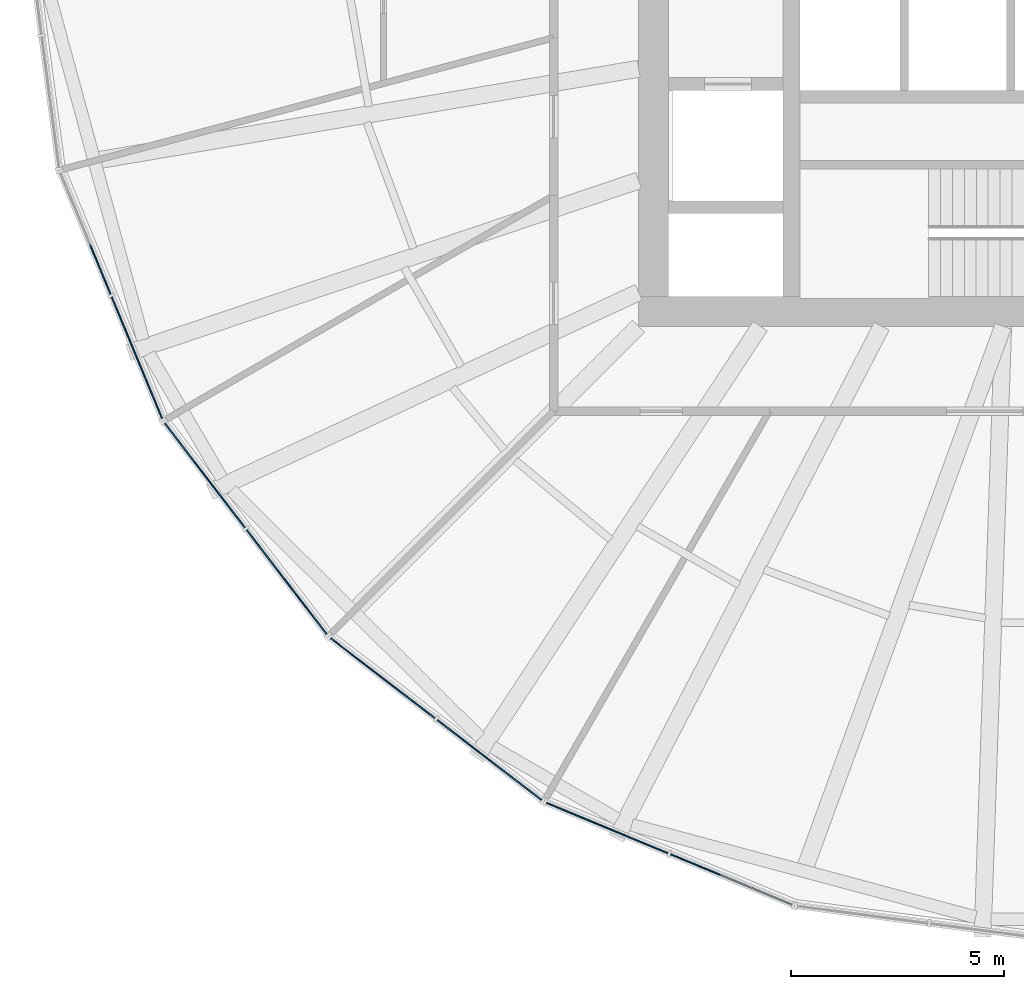
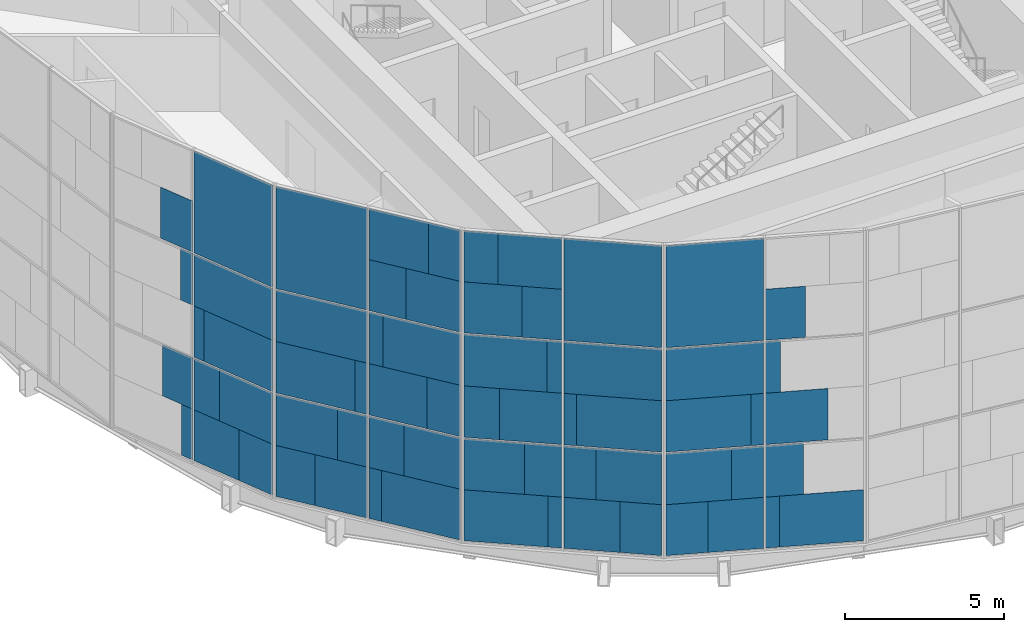
# One storey, part 9 of 22: 66 plates, 4 elements without a shape of their own.
"""IFC4 building model written with IfcOpenShell, lengths in metres."""

from ifc_helpers import new_model, si_unit, direction, frame, origin, origin_2d, place, context, subcontext, project, spatial, rectangle, extrude, material, layer, layer_set, type_object, element, aggregate, save


model = new_model("IFC4")

# Units and contexts
model_context = context("Model", 3, precision=1e-05, world=origin(), true_north=direction((0.0, 1.0)))
body_context = subcontext(model_context, "Body", "Model", "MODEL_VIEW")
ifc_project = project(units=[si_unit("LENGTHUNIT", "METRE"), si_unit("AREAUNIT", "SQUARE_METRE"), si_unit("VOLUMEUNIT", "CUBIC_METRE"), si_unit("PLANEANGLEUNIT", "RADIAN"), si_unit("MASSUNIT", "GRAM", prefix="KILO")], contexts=[model_context])

# Site, building, storey
site_placement = place(None, origin())
site = spatial("IfcSite", under=ifc_project, at=site_placement, CompositionType="ELEMENT")
building_placement = place(site_placement, origin())
building = spatial("IfcBuilding", under=site, at=building_placement, Name="Golbaran Civic Tower", CompositionType="ELEMENT")
storey_placement = place(building_placement, frame((0.0, 0.0, 90.0)))
storey = spatial("IfcBuildingStorey", under=building, at=storey_placement, Name="L21", CompositionType="ELEMENT", Elevation=90.0)

# Curtain wall, plates
ifc_material_1 = material(Name="Aluminium and glass", Category="aluminium")
curtain_wall_type = type_object("IfcCurtainWallType", Name="INNER SKIN CURTAIN WALL", PredefinedType="NOTDEFINED", material=ifc_material_1)
curtain_wall_1_placement = place(storey_placement, origin())
curtain_wall_1 = element("IfcCurtainWall", 1, at=curtain_wall_1_placement, inside=storey, type_object=curtain_wall_type, Name="Inner skin L21 facet 14 CW1", ObjectType="INNER SKIN", PredefinedType="USERDEFINED")
ifc_material_2 = material(Name="Clear insulating glass", Category="glass")
ifc_layer_1 = layer(ifc_material_2, 0.031982421875, Name="Clear insulating glass")
ifc_layer_set_1 = layer_set([ifc_layer_1], Name="Clear insulating glass")
plate_type_1 = type_object("IfcPlateType", Name="INNER SKIN CURTAIN WALL GLAZED PANEL", PredefinedType="CURTAIN_PANEL", material=ifc_layer_set_1)
plate_1_placement = place(storey_placement, frame((-22.50830078125, -9.032958984375, 6.0), z_axis=(0.0, 0.0, 1.0), x_axis=(0.382683432365, -0.923879532511, 0.0)))
plate_1 = element("IfcPlate", 2, at=plate_1_placement, type_object=plate_type_1, Name="CW1 panel 1.2 part 4", PredefinedType="CURTAIN_PANEL", context=body_context, shape_type="SweptSolid", body=[
    extrude(rectangle(XDim=0.47119140625, YDim=0.031982421875, at=origin_2d()), origin(), (0.0, 0.0, 1.0), 1.967529296875),
])
plate_2_placement = place(storey_placement, frame((-22.659423828125, -8.66796875, 8.032470703125), z_axis=(0.0, 0.0, 1.0), x_axis=(0.382683432365, -0.923879532511, 0.0)))
plate_2 = element("IfcPlate", 3, at=plate_2_placement, type_object=plate_type_1, Name="CW1 panel 1.3 part 2", PredefinedType="CURTAIN_PANEL", context=body_context, shape_type="SweptSolid", body=[
    extrude(rectangle(XDim=1.26123046875, YDim=0.031982421875, at=origin_2d()), origin(), (0.0, 0.0, 1.0), 1.951171875),
])
plate_3_placement = place(storey_placement, frame((-21.46240234375, -11.557861328125, 0.06494140625), z_axis=(0.0, 0.0, 1.0), x_axis=(0.382683432365, -0.923879532511, 0.0)))
plate_3 = element("IfcPlate", 4, at=plate_3_placement, type_object=plate_type_1, Name="CW1 panel 2.1 part 2", PredefinedType="CURTAIN_PANEL", context=body_context, shape_type="SweptSolid", body=[
    extrude(rectangle(XDim=1.326416015625, YDim=0.031982421875, at=origin_2d()), origin(), (0.0, 0.0, 1.0), 1.951171875),
])
plate_4_placement = place(storey_placement, frame((-21.607421875, -11.20751953125, 2.016357421875), z_axis=(0.0, 0.0, 1.0), x_axis=(0.382683432365, -0.923879532511, 0.0)))
plate_4 = element("IfcPlate", 5, at=plate_4_placement, type_object=plate_type_1, Name="CW1 panel 2.1 part 4", PredefinedType="CURTAIN_PANEL", context=body_context, shape_type="SweptSolid", body=[
    extrude(rectangle(XDim=2.084228515625, YDim=0.031982421875, at=origin_2d()), origin(), (0.0, 0.0, 1.0), 1.951171875),
])
plate_5_placement = place(storey_placement, frame((-21.724365234375, -10.92529296875, 4.03271484375), z_axis=(0.0, 0.0, 1.0), x_axis=(0.382683432365, -0.923879532511, 0.0)))
plate_5 = element("IfcPlate", 6, at=plate_5_placement, type_object=plate_type_1, Name="CW1 panel 2.2 part 2", PredefinedType="CURTAIN_PANEL", context=body_context, shape_type="SweptSolid", body=[
    extrude(rectangle(XDim=2.6953125, YDim=0.031982421875, at=origin_2d()), origin(), (0.0, 0.0, 1.0), 1.967529296875),
])
plate_6_placement = place(storey_placement, frame((-21.801025390625, -10.74072265625, 6.0), z_axis=(0.0, 0.0, 1.0), x_axis=(0.382683432365, -0.923879532511, 0.0)))
plate_6 = element("IfcPlate", 7, at=plate_6_placement, type_object=plate_type_1, Name="CW1 panel 2.2 part 3", PredefinedType="CURTAIN_PANEL", context=body_context, shape_type="SweptSolid", body=[
    extrude(rectangle(XDim=3.09521484375, YDim=0.031982421875, at=origin_2d()), origin(), (0.0, 0.0, 1.0), 1.967529296875),
])
plate_7_placement = place(storey_placement, frame((-21.801025390625, -10.74072265625, 8.0322265625), z_axis=(0.0, 0.0, 1.0), x_axis=(0.382683432365, -0.923879532511, 0.0)))
plate_7 = element("IfcPlate", 8, at=plate_7_placement, type_object=plate_type_1, Name="CW1 panel 2.3", PredefinedType="CURTAIN_PANEL", context=body_context, shape_type="SweptSolid", body=[
    extrude(rectangle(XDim=3.09521484375, YDim=0.031982421875, at=origin_2d()), origin(), (0.0, 0.0, 1.0), 3.902587890625),
])

curtain_wall_2_placement = place(storey_placement, origin())
curtain_wall_2 = element("IfcCurtainWall", 9, at=curtain_wall_2_placement, inside=storey, type_object=curtain_wall_type, Name="Inner skin L21 facet 15 CW1", ObjectType="INNER SKIN", PredefinedType="USERDEFINED")
plate_8_placement = place(storey_placement, frame((-20.74072265625, -12.80810546875, 0.06494140625), z_axis=(0.0, 0.0, 1.0), x_axis=(0.608761428939, -0.793353340344, 0.0)))
plate_8 = element("IfcPlate", 10, at=plate_8_placement, type_object=plate_type_1, Name="CW1 panel 1.1 part 1", PredefinedType="CURTAIN_PANEL", context=body_context, shape_type="SweptSolid", body=[
    extrude(rectangle(XDim=1.325927734375, YDim=0.031982421875, at=origin_2d()), origin(), (0.0, 0.0, 1.0), 1.951171875),
])
plate_9_placement = place(storey_placement, frame((-20.510009765625, -13.108642578125, 2.016357421875), z_axis=(0.0, 0.0, 1.0), x_axis=(0.608761428939, -0.793353340344, 0.0)))
plate_9 = element("IfcPlate", 11, at=plate_9_placement, type_object=plate_type_1, Name="CW1 panel 1.1 part 3", PredefinedType="CURTAIN_PANEL", context=body_context, shape_type="SweptSolid", body=[
    extrude(rectangle(XDim=2.083984375, YDim=0.031982421875, at=origin_2d()), origin(), (0.0, 0.0, 1.0), 1.951171875),
])
plate_10_placement = place(storey_placement, frame((-20.32421875, -13.350830078125, 4.03271484375), z_axis=(0.0, 0.0, 1.0), x_axis=(0.608761428939, -0.793353340344, 0.0)))
plate_10 = element("IfcPlate", 12, at=plate_10_placement, type_object=plate_type_1, Name="CW1 panel 1.2 part 1", PredefinedType="CURTAIN_PANEL", context=body_context, shape_type="SweptSolid", body=[
    extrude(rectangle(XDim=2.694091796875, YDim=0.031982421875, at=origin_2d()), origin(), (0.0, 0.0, 1.0), 1.967529296875),
])
plate_11_placement = place(storey_placement, frame((-20.2021484375, -13.510009765625, 6.0), z_axis=(0.0, 0.0, 1.0), x_axis=(0.608761428939, -0.793353340344, 0.0)))
plate_11 = element("IfcPlate", 13, at=plate_11_placement, type_object=plate_type_1, Name="CW1 panel 1.2 part 3", PredefinedType="CURTAIN_PANEL", context=body_context, shape_type="SweptSolid", body=[
    extrude(rectangle(XDim=3.09521484375, YDim=0.031982421875, at=origin_2d()), origin(), (0.0, 0.0, 1.0), 1.967529296875),
])
plate_12_placement = place(storey_placement, frame((-20.2021484375, -13.510009765625, 8.0322265625), z_axis=(0.0, 0.0, 1.0), x_axis=(0.608761428939, -0.793353340344, 0.0)))
plate_12 = element("IfcPlate", 14, at=plate_12_placement, type_object=plate_type_1, Name="CW1 panel 1.3", PredefinedType="CURTAIN_PANEL", context=body_context, shape_type="SweptSolid", body=[
    extrude(rectangle(XDim=3.09521484375, YDim=0.031982421875, at=origin_2d()), origin(), (0.0, 0.0, 1.0), 3.902587890625),
])
plate_13_placement = place(storey_placement, frame((-18.146728515625, -16.1884765625, 0.06494140625), z_axis=(0.0, 0.0, 1.0), x_axis=(0.608761428939, -0.793353340344, 0.0)))
plate_13 = element("IfcPlate", 15, at=plate_13_placement, type_object=plate_type_1, Name="CW1 panel 2.1 part 2", PredefinedType="CURTAIN_PANEL", context=body_context, shape_type="SweptSolid", body=[
    extrude(rectangle(XDim=2.663330078125, YDim=0.031982421875, at=origin_2d()), origin(), (0.0, 0.0, 1.0), 1.951171875),
])
plate_14_placement = place(storey_placement, frame((-17.916015625, -16.4892578125, 2.016357421875), z_axis=(0.0, 0.0, 1.0), x_axis=(0.608761428939, -0.793353340344, 0.0)))
plate_14 = element("IfcPlate", 16, at=plate_14_placement, type_object=plate_type_1, Name="CW1 panel 2.1 part 4", PredefinedType="CURTAIN_PANEL", context=body_context, shape_type="SweptSolid", body=[
    extrude(rectangle(XDim=1.9052734375, YDim=0.031982421875, at=origin_2d()), origin(), (0.0, 0.0, 1.0), 1.951171875),
])
plate_15_placement = place(storey_placement, frame((-17.675537109375, -16.802490234375, 4.03271484375), z_axis=(0.0, 0.0, 1.0), x_axis=(0.608761428939, -0.793353340344, 0.0)))
plate_15 = element("IfcPlate", 17, at=plate_15_placement, type_object=plate_type_1, Name="CW1 panel 2.2 part 2", PredefinedType="CURTAIN_PANEL", context=body_context, shape_type="SweptSolid", body=[
    extrude(rectangle(XDim=1.115234375, YDim=0.031982421875, at=origin_2d()), origin(), (0.0, 0.0, 1.0), 1.967529296875),
])
plate_16_placement = place(storey_placement, frame((-19.0771484375, -14.97607421875, 6.0), z_axis=(0.0, 0.0, 1.0), x_axis=(0.608761428939, -0.793353340344, 0.0)))
plate_16 = element("IfcPlate", 18, at=plate_16_placement, type_object=plate_type_1, Name="CW1 panel 2.2 part 3", PredefinedType="CURTAIN_PANEL", context=body_context, shape_type="SweptSolid", body=[
    extrude(rectangle(XDim=0.470947265625, YDim=0.031982421875, at=origin_2d()), origin(), (0.0, 0.0, 1.0), 1.967529296875),
])
plate_17_placement = place(storey_placement, frame((-18.836669921875, -15.28955078125, 8.032470703125), z_axis=(0.0, 0.0, 1.0), x_axis=(0.608761428939, -0.793353340344, 0.0)))
plate_17 = element("IfcPlate", 19, at=plate_17_placement, type_object=plate_type_1, Name="CW1 panel 2.3 part 1", PredefinedType="CURTAIN_PANEL", context=body_context, shape_type="SweptSolid", body=[
    extrude(rectangle(XDim=1.260986328125, YDim=0.031982421875, at=origin_2d()), origin(), (0.0, 0.0, 1.0), 1.951171875),
])
plate_18_placement = place(storey_placement, frame((-18.60546875, -15.590576171875, 9.98388671875), z_axis=(0.0, 0.0, 1.0), x_axis=(0.608761428939, -0.793353340344, 0.0)))
plate_18 = element("IfcPlate", 20, at=plate_18_placement, type_object=plate_type_1, Name="CW1 panel 2.3 part 3", PredefinedType="CURTAIN_PANEL", context=body_context, shape_type="SweptSolid", body=[
    extrude(rectangle(XDim=2.02001953125, YDim=0.031982421875, at=origin_2d()), origin(), (0.0, 0.0, 1.0), 1.951171875),
])

curtain_wall_3_placement = place(storey_placement, origin())
curtain_wall_3 = element("IfcCurtainWall", 21, at=curtain_wall_3_placement, inside=storey, type_object=curtain_wall_type, Name="Inner skin L21 facet 16 CW1", ObjectType="INNER SKIN", PredefinedType="USERDEFINED")
plate_19_placement = place(storey_placement, frame((-16.188720703125, -18.146728515625, 0.06494140625), z_axis=(0.0, 0.0, 1.0), x_axis=(0.793353340344, -0.608761428939, 0.0)))
plate_19 = element("IfcPlate", 22, at=plate_19_placement, type_object=plate_type_1, Name="CW1 panel 1.1 part 1", PredefinedType="CURTAIN_PANEL", context=body_context, shape_type="SweptSolid", body=[
    extrude(rectangle(XDim=2.6630859375, YDim=0.031982421875, at=origin_2d()), origin(), (0.0, 0.0, 1.0), 1.951171875),
])
plate_20_placement = place(storey_placement, frame((-16.4892578125, -17.916015625, 2.016357421875), z_axis=(0.0, 0.0, 1.0), x_axis=(0.793353340344, -0.608761428939, 0.0)))
plate_20 = element("IfcPlate", 23, at=plate_20_placement, type_object=plate_type_1, Name="CW1 panel 1.1 part 3", PredefinedType="CURTAIN_PANEL", context=body_context, shape_type="SweptSolid", body=[
    extrude(rectangle(XDim=1.905029296875, YDim=0.031982421875, at=origin_2d()), origin(), (0.0, 0.0, 1.0), 1.951171875),
])
plate_21_placement = place(storey_placement, frame((-16.80224609375, -17.67578125, 4.03271484375), z_axis=(0.0, 0.0, 1.0), x_axis=(0.793353340344, -0.608761428939, 0.0)))
plate_21 = element("IfcPlate", 24, at=plate_21_placement, type_object=plate_type_1, Name="CW1 panel 1.2 part 1", PredefinedType="CURTAIN_PANEL", context=body_context, shape_type="SweptSolid", body=[
    extrude(rectangle(XDim=1.115966796875, YDim=0.031982421875, at=origin_2d()), origin(), (0.0, 0.0, 1.0), 1.967529296875),
])
plate_22_placement = place(storey_placement, frame((-14.976318359375, -19.076904296875, 6.0), z_axis=(0.0, 0.0, 1.0), x_axis=(0.793353340344, -0.608761428939, 0.0)))
plate_22 = element("IfcPlate", 25, at=plate_22_placement, type_object=plate_type_1, Name="CW1 panel 1.2 part 4", PredefinedType="CURTAIN_PANEL", context=body_context, shape_type="SweptSolid", body=[
    extrude(rectangle(XDim=0.47119140625, YDim=0.031982421875, at=origin_2d()), origin(), (0.0, 0.0, 1.0), 1.967529296875),
])
plate_23_placement = place(storey_placement, frame((-15.28955078125, -18.83642578125, 8.032470703125), z_axis=(0.0, 0.0, 1.0), x_axis=(0.793353340344, -0.608761428939, 0.0)))
plate_23 = element("IfcPlate", 26, at=plate_23_placement, type_object=plate_type_1, Name="CW1 panel 1.3 part 2", PredefinedType="CURTAIN_PANEL", context=body_context, shape_type="SweptSolid", body=[
    extrude(rectangle(XDim=1.26123046875, YDim=0.031982421875, at=origin_2d()), origin(), (0.0, 0.0, 1.0), 1.951171875),
])
plate_24_placement = place(storey_placement, frame((-15.59033203125, -18.605712890625, 9.98388671875), z_axis=(0.0, 0.0, 1.0), x_axis=(0.793353340344, -0.608761428939, 0.0)))
plate_24 = element("IfcPlate", 27, at=plate_24_placement, type_object=plate_type_1, Name="CW1 panel 1.3 part 4", PredefinedType="CURTAIN_PANEL", context=body_context, shape_type="SweptSolid", body=[
    extrude(rectangle(XDim=2.019287109375, YDim=0.031982421875, at=origin_2d()), origin(), (0.0, 0.0, 1.0), 1.951171875),
])
plate_25_placement = place(storey_placement, frame((-12.80810546875, -20.740478515625, 0.06494140625), z_axis=(0.0, 0.0, 1.0), x_axis=(0.793353340344, -0.608761428939, 0.0)))
plate_25 = element("IfcPlate", 28, at=plate_25_placement, type_object=plate_type_1, Name="CW1 panel 2.1 part 2", PredefinedType="CURTAIN_PANEL", context=body_context, shape_type="SweptSolid", body=[
    extrude(rectangle(XDim=1.326416015625, YDim=0.031982421875, at=origin_2d()), origin(), (0.0, 0.0, 1.0), 1.951171875),
])
plate_26_placement = place(storey_placement, frame((-13.10888671875, -20.509765625, 2.016357421875), z_axis=(0.0, 0.0, 1.0), x_axis=(0.793353340344, -0.608761428939, 0.0)))
plate_26 = element("IfcPlate", 29, at=plate_26_placement, type_object=plate_type_1, Name="CW1 panel 2.1 part 4", PredefinedType="CURTAIN_PANEL", context=body_context, shape_type="SweptSolid", body=[
    extrude(rectangle(XDim=2.084228515625, YDim=0.031982421875, at=origin_2d()), origin(), (0.0, 0.0, 1.0), 1.951171875),
])
plate_27_placement = place(storey_placement, frame((-13.351318359375, -20.323974609375, 4.03271484375), z_axis=(0.0, 0.0, 1.0), x_axis=(0.793353340344, -0.608761428939, 0.0)))
plate_27 = element("IfcPlate", 30, at=plate_27_placement, type_object=plate_type_1, Name="CW1 panel 2.2 part 2", PredefinedType="CURTAIN_PANEL", context=body_context, shape_type="SweptSolid", body=[
    extrude(rectangle(XDim=2.6953125, YDim=0.031982421875, at=origin_2d()), origin(), (0.0, 0.0, 1.0), 1.967529296875),
])
plate_28_placement = place(storey_placement, frame((-13.510009765625, -20.2021484375, 6.0), z_axis=(0.0, 0.0, 1.0), x_axis=(0.793353340344, -0.608761428939, 0.0)))
plate_28 = element("IfcPlate", 31, at=plate_28_placement, type_object=plate_type_1, Name="CW1 panel 2.2 part 3", PredefinedType="CURTAIN_PANEL", context=body_context, shape_type="SweptSolid", body=[
    extrude(rectangle(XDim=3.09521484375, YDim=0.031982421875, at=origin_2d()), origin(), (0.0, 0.0, 1.0), 1.967529296875),
])
plate_29_placement = place(storey_placement, frame((-13.510009765625, -20.2021484375, 8.0322265625), z_axis=(0.0, 0.0, 1.0), x_axis=(0.793353340344, -0.608761428939, 0.0)))
plate_29 = element("IfcPlate", 32, at=plate_29_placement, type_object=plate_type_1, Name="CW1 panel 2.3", PredefinedType="CURTAIN_PANEL", context=body_context, shape_type="SweptSolid", body=[
    extrude(rectangle(XDim=3.09521484375, YDim=0.031982421875, at=origin_2d()), origin(), (0.0, 0.0, 1.0), 3.902587890625),
])

curtain_wall_4_placement = place(storey_placement, origin())
curtain_wall_4 = element("IfcCurtainWall", 33, at=curtain_wall_4_placement, inside=storey, type_object=curtain_wall_type, Name="Inner skin L21 facet 17 CW1", ObjectType="INNER SKIN", PredefinedType="USERDEFINED")
plate_30_placement = place(storey_placement, frame((-11.557861328125, -21.46240234375, 0.06494140625), z_axis=(0.0, 0.0, 1.0), x_axis=(0.923879532511, -0.382683432365, 0.0)))
plate_30 = element("IfcPlate", 34, at=plate_30_placement, type_object=plate_type_1, Name="CW1 panel 1.1 part 1", PredefinedType="CURTAIN_PANEL", context=body_context, shape_type="SweptSolid", body=[
    extrude(rectangle(XDim=1.325927734375, YDim=0.031982421875, at=origin_2d()), origin(), (0.0, 0.0, 1.0), 1.951171875),
])
plate_31_placement = place(storey_placement, frame((-11.207763671875, -21.607421875, 2.016357421875), z_axis=(0.0, 0.0, 1.0), x_axis=(0.923879532511, -0.382683432365, 0.0)))
plate_31 = element("IfcPlate", 35, at=plate_31_placement, type_object=plate_type_1, Name="CW1 panel 1.1 part 3", PredefinedType="CURTAIN_PANEL", context=body_context, shape_type="SweptSolid", body=[
    extrude(rectangle(XDim=2.083984375, YDim=0.031982421875, at=origin_2d()), origin(), (0.0, 0.0, 1.0), 1.951171875),
])
plate_32_placement = place(storey_placement, frame((-10.926025390625, -21.72412109375, 4.03271484375), z_axis=(0.0, 0.0, 1.0), x_axis=(0.923879532511, -0.382683432365, 0.0)))
plate_32 = element("IfcPlate", 36, at=plate_32_placement, type_object=plate_type_1, Name="CW1 panel 1.2 part 1", PredefinedType="CURTAIN_PANEL", context=body_context, shape_type="SweptSolid", body=[
    extrude(rectangle(XDim=2.694091796875, YDim=0.031982421875, at=origin_2d()), origin(), (0.0, 0.0, 1.0), 1.967529296875),
])
plate_33_placement = place(storey_placement, frame((-10.74072265625, -21.801025390625, 6.0), z_axis=(0.0, 0.0, 1.0), x_axis=(0.923879532511, -0.382683432365, 0.0)))
plate_33 = element("IfcPlate", 37, at=plate_33_placement, type_object=plate_type_1, Name="CW1 panel 1.2 part 3", PredefinedType="CURTAIN_PANEL", context=body_context, shape_type="SweptSolid", body=[
    extrude(rectangle(XDim=3.09521484375, YDim=0.031982421875, at=origin_2d()), origin(), (0.0, 0.0, 1.0), 1.967529296875),
])
plate_34_placement = place(storey_placement, frame((-10.74072265625, -21.801025390625, 8.0322265625), z_axis=(0.0, 0.0, 1.0), x_axis=(0.923879532511, -0.382683432365, 0.0)))
plate_34 = element("IfcPlate", 38, at=plate_34_placement, type_object=plate_type_1, Name="CW1 panel 1.3", PredefinedType="CURTAIN_PANEL", context=body_context, shape_type="SweptSolid", body=[
    extrude(rectangle(XDim=3.09521484375, YDim=0.031982421875, at=origin_2d()), origin(), (0.0, 0.0, 1.0), 3.902587890625),
])
plate_35_placement = place(storey_placement, frame((-7.621337890625, -23.093017578125, 0.06494140625), z_axis=(0.0, 0.0, 1.0), x_axis=(0.923879532511, -0.382683432365, 0.0)))
plate_35 = element("IfcPlate", 39, at=plate_35_placement, type_object=plate_type_1, Name="CW1 panel 2.1 part 2", PredefinedType="CURTAIN_PANEL", context=body_context, shape_type="SweptSolid", body=[
    extrude(rectangle(XDim=2.663330078125, YDim=0.031982421875, at=origin_2d()), origin(), (0.0, 0.0, 1.0), 1.951171875),
])
plate_36_placement = place(storey_placement, frame((-9.033203125, -22.50830078125, 6.0), z_axis=(0.0, 0.0, 1.0), x_axis=(0.923879532511, -0.382683432365, 0.0)))
plate_36 = element("IfcPlate", 40, at=plate_36_placement, type_object=plate_type_1, Name="CW1 panel 2.2 part 3", PredefinedType="CURTAIN_PANEL", context=body_context, shape_type="SweptSolid", body=[
    extrude(rectangle(XDim=0.470947265625, YDim=0.031982421875, at=origin_2d()), origin(), (0.0, 0.0, 1.0), 1.967529296875),
])
plate_37_placement = place(storey_placement, frame((-8.668212890625, -22.659423828125, 8.032470703125), z_axis=(0.0, 0.0, 1.0), x_axis=(0.923879532511, -0.382683432365, 0.0)))
plate_37 = element("IfcPlate", 41, at=plate_37_placement, type_object=plate_type_1, Name="CW1 panel 2.3 part 1", PredefinedType="CURTAIN_PANEL", context=body_context, shape_type="SweptSolid", body=[
    extrude(rectangle(XDim=1.260986328125, YDim=0.031982421875, at=origin_2d()), origin(), (0.0, 0.0, 1.0), 1.951171875),
])

# Plate
ifc_material_3 = material(Name="Aluminium faced opaque infill panel", Category="aluminium")
ifc_layer_2 = layer(ifc_material_3, 0.031982421875, Name="Aluminium faced opaque infill panel")
ifc_layer_set_2 = layer_set([ifc_layer_2], Name="Aluminium faced opaque infill panel")
plate_type_2 = type_object("IfcPlateType", Name="INNER SKIN CURTAIN WALL OPAQUE INFILL PANEL", PredefinedType="CURTAIN_PANEL", material=ifc_layer_set_2)
plate_38_placement = place(storey_placement, frame((-22.500732421875, -9.051025390625, 0.06494140625), z_axis=(0.0, 0.0, 1.0), x_axis=(0.382683432365, -0.923879532511, 0.0)))
plate_38 = element("IfcPlate", 42, at=plate_38_placement, type_object=plate_type_2, Name="CW1 infill panel 1.1 part 2", PredefinedType="CURTAIN_PANEL", context=body_context, shape_type="SweptSolid", body=[
    extrude(rectangle(XDim=0.432373046875, YDim=0.031982421875, at=origin_2d()), origin(), (0.0, 0.0, 1.0), 1.951171875),
])

plate_39_placement = place(storey_placement, frame((-22.645751953125, -8.700927734375, 2.016357421875), z_axis=(0.0, 0.0, 1.0), x_axis=(0.382683432365, -0.923879532511, 0.0)))
plate_39 = element("IfcPlate", 43, at=plate_39_placement, type_object=plate_type_2, Name="CW1 infill panel 1.1 part 4", PredefinedType="CURTAIN_PANEL", context=body_context, shape_type="SweptSolid", body=[
    extrude(rectangle(XDim=1.190185546875, YDim=0.031982421875, at=origin_2d()), origin(), (0.0, 0.0, 1.0), 1.951171875),
])

plate_40_placement = place(storey_placement, frame((-22.0546875, -10.1279296875, 0.06494140625), z_axis=(0.0, 0.0, 1.0), x_axis=(0.382683432365, -0.923879532511, 0.0)))
plate_40 = element("IfcPlate", 44, at=plate_40_placement, type_object=plate_type_2, Name="CW1 infill panel 2.1 part 1", PredefinedType="CURTAIN_PANEL", context=body_context, shape_type="SweptSolid", body=[
    extrude(rectangle(XDim=1.76904296875, YDim=0.031982421875, at=origin_2d()), origin(), (0.0, 0.0, 1.0), 1.951171875),
])

plate_41_placement = place(storey_placement, frame((-22.19970703125, -9.77783203125, 2.016357421875), z_axis=(0.0, 0.0, 1.0), x_axis=(0.382683432365, -0.923879532511, 0.0)))
plate_41 = element("IfcPlate", 45, at=plate_41_placement, type_object=plate_type_2, Name="CW1 infill panel 2.1 part 3", PredefinedType="CURTAIN_PANEL", context=body_context, shape_type="SweptSolid", body=[
    extrude(rectangle(XDim=1.010986328125, YDim=0.031982421875, at=origin_2d()), origin(), (0.0, 0.0, 1.0), 1.951171875),
])

plate_42_placement = place(storey_placement, frame((-22.316650390625, -9.49560546875, 4.03271484375), z_axis=(0.0, 0.0, 1.0), x_axis=(0.382683432365, -0.923879532511, 0.0)))
plate_42 = element("IfcPlate", 46, at=plate_42_placement, type_object=plate_type_2, Name="CW1 infill panel 2.2 part 1", PredefinedType="CURTAIN_PANEL", context=body_context, shape_type="SweptSolid", body=[
    extrude(rectangle(XDim=0.39990234375, YDim=0.031982421875, at=origin_2d()), origin(), (0.0, 0.0, 1.0), 1.967529296875),
])

aggregate(curtain_wall_1, [plate_38, plate_39, plate_1, plate_2, plate_40, plate_3, plate_41, plate_4, plate_42, plate_5, plate_6, plate_7])

plate_43_placement = place(storey_placement, frame((-19.798583984375, -14.035888671875, 0.06494140625), z_axis=(0.0, 0.0, 1.0), x_axis=(0.608761428939, -0.793353340344, 0.0)))
plate_43 = element("IfcPlate", 47, at=plate_43_placement, type_object=plate_type_2, Name="CW1 infill panel 1.1 part 2", PredefinedType="CURTAIN_PANEL", context=body_context, shape_type="SweptSolid", body=[
    extrude(rectangle(XDim=1.769287109375, YDim=0.031982421875, at=origin_2d()), origin(), (0.0, 0.0, 1.0), 1.951171875),
])

plate_44_placement = place(storey_placement, frame((-19.56787109375, -14.336669921875, 2.016357421875), z_axis=(0.0, 0.0, 1.0), x_axis=(0.608761428939, -0.793353340344, 0.0)))
plate_44 = element("IfcPlate", 48, at=plate_44_placement, type_object=plate_type_2, Name="CW1 infill panel 1.1 part 4", PredefinedType="CURTAIN_PANEL", context=body_context, shape_type="SweptSolid", body=[
    extrude(rectangle(XDim=1.01123046875, YDim=0.031982421875, at=origin_2d()), origin(), (0.0, 0.0, 1.0), 1.951171875),
])

plate_45_placement = place(storey_placement, frame((-19.382080078125, -14.57861328125, 4.03271484375), z_axis=(0.0, 0.0, 1.0), x_axis=(0.608761428939, -0.793353340344, 0.0)))
plate_45 = element("IfcPlate", 49, at=plate_45_placement, type_object=plate_type_2, Name="CW1 infill panel 1.2 part 2", PredefinedType="CURTAIN_PANEL", context=body_context, shape_type="SweptSolid", body=[
    extrude(rectangle(XDim=0.4013671875, YDim=0.031982421875, at=origin_2d()), origin(), (0.0, 0.0, 1.0), 1.967529296875),
])

plate_46_placement = place(storey_placement, frame((-19.0888671875, -14.960693359375, 0.06494140625), z_axis=(0.0, 0.0, 1.0), x_axis=(0.608761428939, -0.793353340344, 0.0)))
plate_46 = element("IfcPlate", 50, at=plate_46_placement, type_object=plate_type_2, Name="CW1 infill panel 2.1 part 1", PredefinedType="CURTAIN_PANEL", context=body_context, shape_type="SweptSolid", body=[
    extrude(rectangle(XDim=0.431884765625, YDim=0.031982421875, at=origin_2d()), origin(), (0.0, 0.0, 1.0), 1.951171875),
])

plate_47_placement = place(storey_placement, frame((-18.858154296875, -15.26123046875, 2.016357421875), z_axis=(0.0, 0.0, 1.0), x_axis=(0.608761428939, -0.793353340344, 0.0)))
plate_47 = element("IfcPlate", 51, at=plate_47_placement, type_object=plate_type_2, Name="CW1 infill panel 2.1 part 3", PredefinedType="CURTAIN_PANEL", context=body_context, shape_type="SweptSolid", body=[
    extrude(rectangle(XDim=1.18994140625, YDim=0.031982421875, at=origin_2d()), origin(), (0.0, 0.0, 1.0), 1.951171875),
])

plate_48_placement = place(storey_placement, frame((-18.61767578125, -15.57470703125, 4.03271484375), z_axis=(0.0, 0.0, 1.0), x_axis=(0.608761428939, -0.793353340344, 0.0)))
plate_48 = element("IfcPlate", 52, at=plate_48_placement, type_object=plate_type_2, Name="CW1 infill panel 2.2 part 1", PredefinedType="CURTAIN_PANEL", context=body_context, shape_type="SweptSolid", body=[
    extrude(rectangle(XDim=1.97998046875, YDim=0.031982421875, at=origin_2d()), origin(), (0.0, 0.0, 1.0), 1.967529296875),
])

plate_49_placement = place(storey_placement, frame((-18.135009765625, -16.203857421875, 6.0), z_axis=(0.0, 0.0, 1.0), x_axis=(0.608761428939, -0.793353340344, 0.0)))
plate_49 = element("IfcPlate", 53, at=plate_49_placement, type_object=plate_type_2, Name="CW1 infill panel 2.2 part 4", PredefinedType="CURTAIN_PANEL", context=body_context, shape_type="SweptSolid", body=[
    extrude(rectangle(XDim=2.624267578125, YDim=0.031982421875, at=origin_2d()), origin(), (0.0, 0.0, 1.0), 1.967529296875),
])

plate_50_placement = place(storey_placement, frame((-17.89453125, -16.517333984375, 8.032470703125), z_axis=(0.0, 0.0, 1.0), x_axis=(0.608761428939, -0.793353340344, 0.0)))
plate_50 = element("IfcPlate", 54, at=plate_50_placement, type_object=plate_type_2, Name="CW1 infill panel 2.3 part 2", PredefinedType="CURTAIN_PANEL", context=body_context, shape_type="SweptSolid", body=[
    extrude(rectangle(XDim=1.834228515625, YDim=0.031982421875, at=origin_2d()), origin(), (0.0, 0.0, 1.0), 1.951171875),
])

plate_51_placement = place(storey_placement, frame((-17.663330078125, -16.818359375, 9.98388671875), z_axis=(0.0, 0.0, 1.0), x_axis=(0.608761428939, -0.793353340344, 0.0)))
plate_51 = element("IfcPlate", 55, at=plate_51_placement, type_object=plate_type_2, Name="CW1 infill panel 2.3 part 4", PredefinedType="CURTAIN_PANEL", context=body_context, shape_type="SweptSolid", body=[
    extrude(rectangle(XDim=1.0751953125, YDim=0.031982421875, at=origin_2d()), origin(), (0.0, 0.0, 1.0), 1.951171875),
])

aggregate(curtain_wall_2, [plate_8, plate_43, plate_9, plate_44, plate_10, plate_45, plate_11, plate_12, plate_46, plate_13, plate_47, plate_14, plate_48, plate_15, plate_16, plate_49, plate_17, plate_50, plate_18, plate_51])

plate_52_placement = place(storey_placement, frame((-14.960693359375, -19.0888671875, 0.06494140625), z_axis=(0.0, 0.0, 1.0), x_axis=(0.793353340344, -0.608761428939, 0.0)))
plate_52 = element("IfcPlate", 56, at=plate_52_placement, type_object=plate_type_2, Name="CW1 infill panel 1.1 part 2", PredefinedType="CURTAIN_PANEL", context=body_context, shape_type="SweptSolid", body=[
    extrude(rectangle(XDim=0.432373046875, YDim=0.031982421875, at=origin_2d()), origin(), (0.0, 0.0, 1.0), 1.951171875),
])

plate_53_placement = place(storey_placement, frame((-15.261474609375, -18.858154296875, 2.016357421875), z_axis=(0.0, 0.0, 1.0), x_axis=(0.793353340344, -0.608761428939, 0.0)))
plate_53 = element("IfcPlate", 57, at=plate_53_placement, type_object=plate_type_2, Name="CW1 infill panel 1.1 part 4", PredefinedType="CURTAIN_PANEL", context=body_context, shape_type="SweptSolid", body=[
    extrude(rectangle(XDim=1.190185546875, YDim=0.031982421875, at=origin_2d()), origin(), (0.0, 0.0, 1.0), 1.951171875),
])

plate_54_placement = place(storey_placement, frame((-15.574462890625, -18.617919921875, 4.03271484375), z_axis=(0.0, 0.0, 1.0), x_axis=(0.793353340344, -0.608761428939, 0.0)))
plate_54 = element("IfcPlate", 58, at=plate_54_placement, type_object=plate_type_2, Name="CW1 infill panel 1.2 part 2", PredefinedType="CURTAIN_PANEL", context=body_context, shape_type="SweptSolid", body=[
    extrude(rectangle(XDim=1.979248046875, YDim=0.031982421875, at=origin_2d()), origin(), (0.0, 0.0, 1.0), 1.967529296875),
])

plate_55_placement = place(storey_placement, frame((-16.2041015625, -18.134765625, 6.0), z_axis=(0.0, 0.0, 1.0), x_axis=(0.793353340344, -0.608761428939, 0.0)))
plate_55 = element("IfcPlate", 59, at=plate_55_placement, type_object=plate_type_2, Name="CW1 infill panel 1.2 part 3", PredefinedType="CURTAIN_PANEL", context=body_context, shape_type="SweptSolid", body=[
    extrude(rectangle(XDim=2.6240234375, YDim=0.031982421875, at=origin_2d()), origin(), (0.0, 0.0, 1.0), 1.967529296875),
])

plate_56_placement = place(storey_placement, frame((-16.517578125, -17.894287109375, 8.032470703125), z_axis=(0.0, 0.0, 1.0), x_axis=(0.793353340344, -0.608761428939, 0.0)))
plate_56 = element("IfcPlate", 60, at=plate_56_placement, type_object=plate_type_2, Name="CW1 infill panel 1.3 part 1", PredefinedType="CURTAIN_PANEL", context=body_context, shape_type="SweptSolid", body=[
    extrude(rectangle(XDim=1.833984375, YDim=0.031982421875, at=origin_2d()), origin(), (0.0, 0.0, 1.0), 1.951171875),
])

plate_57_placement = place(storey_placement, frame((-16.818115234375, -17.66357421875, 9.98388671875), z_axis=(0.0, 0.0, 1.0), x_axis=(0.793353340344, -0.608761428939, 0.0)))
plate_57 = element("IfcPlate", 61, at=plate_57_placement, type_object=plate_type_2, Name="CW1 infill panel 1.3 part 3", PredefinedType="CURTAIN_PANEL", context=body_context, shape_type="SweptSolid", body=[
    extrude(rectangle(XDim=1.075927734375, YDim=0.031982421875, at=origin_2d()), origin(), (0.0, 0.0, 1.0), 1.951171875),
])

plate_58_placement = place(storey_placement, frame((-14.0361328125, -19.79833984375, 0.06494140625), z_axis=(0.0, 0.0, 1.0), x_axis=(0.793353340344, -0.608761428939, 0.0)))
plate_58 = element("IfcPlate", 62, at=plate_58_placement, type_object=plate_type_2, Name="CW1 infill panel 2.1 part 1", PredefinedType="CURTAIN_PANEL", context=body_context, shape_type="SweptSolid", body=[
    extrude(rectangle(XDim=1.76904296875, YDim=0.031982421875, at=origin_2d()), origin(), (0.0, 0.0, 1.0), 1.951171875),
])

plate_59_placement = place(storey_placement, frame((-14.336669921875, -19.567626953125, 2.016357421875), z_axis=(0.0, 0.0, 1.0), x_axis=(0.793353340344, -0.608761428939, 0.0)))
plate_59 = element("IfcPlate", 63, at=plate_59_placement, type_object=plate_type_2, Name="CW1 infill panel 2.1 part 3", PredefinedType="CURTAIN_PANEL", context=body_context, shape_type="SweptSolid", body=[
    extrude(rectangle(XDim=1.010986328125, YDim=0.031982421875, at=origin_2d()), origin(), (0.0, 0.0, 1.0), 1.951171875),
])

plate_60_placement = place(storey_placement, frame((-14.5791015625, -19.3818359375, 4.03271484375), z_axis=(0.0, 0.0, 1.0), x_axis=(0.793353340344, -0.608761428939, 0.0)))
plate_60 = element("IfcPlate", 64, at=plate_60_placement, type_object=plate_type_2, Name="CW1 infill panel 2.2 part 1", PredefinedType="CURTAIN_PANEL", context=body_context, shape_type="SweptSolid", body=[
    extrude(rectangle(XDim=0.39990234375, YDim=0.031982421875, at=origin_2d()), origin(), (0.0, 0.0, 1.0), 1.967529296875),
])

aggregate(curtain_wall_3, [plate_19, plate_52, plate_20, plate_53, plate_21, plate_54, plate_55, plate_22, plate_56, plate_23, plate_57, plate_24, plate_58, plate_25, plate_59, plate_26, plate_60, plate_27, plate_28, plate_29])

plate_61_placement = place(storey_placement, frame((-10.128173828125, -22.0546875, 0.06494140625), z_axis=(0.0, 0.0, 1.0), x_axis=(0.923879532511, -0.382683432365, 0.0)))
plate_61 = element("IfcPlate", 65, at=plate_61_placement, type_object=plate_type_2, Name="CW1 infill panel 1.1 part 2", PredefinedType="CURTAIN_PANEL", context=body_context, shape_type="SweptSolid", body=[
    extrude(rectangle(XDim=1.769287109375, YDim=0.031982421875, at=origin_2d()), origin(), (0.0, 0.0, 1.0), 1.951171875),
])

plate_62_placement = place(storey_placement, frame((-9.77783203125, -22.19970703125, 2.016357421875), z_axis=(0.0, 0.0, 1.0), x_axis=(0.923879532511, -0.382683432365, 0.0)))
plate_62 = element("IfcPlate", 66, at=plate_62_placement, type_object=plate_type_2, Name="CW1 infill panel 1.1 part 4", PredefinedType="CURTAIN_PANEL", context=body_context, shape_type="SweptSolid", body=[
    extrude(rectangle(XDim=1.01123046875, YDim=0.031982421875, at=origin_2d()), origin(), (0.0, 0.0, 1.0), 1.951171875),
])

plate_63_placement = place(storey_placement, frame((-9.49609375, -22.31640625, 4.03271484375), z_axis=(0.0, 0.0, 1.0), x_axis=(0.923879532511, -0.382683432365, 0.0)))
plate_63 = element("IfcPlate", 67, at=plate_63_placement, type_object=plate_type_2, Name="CW1 infill panel 1.2 part 2", PredefinedType="CURTAIN_PANEL", context=body_context, shape_type="SweptSolid", body=[
    extrude(rectangle(XDim=0.4013671875, YDim=0.031982421875, at=origin_2d()), origin(), (0.0, 0.0, 1.0), 1.967529296875),
])

plate_64_placement = place(storey_placement, frame((-9.05126953125, -22.500732421875, 0.06494140625), z_axis=(0.0, 0.0, 1.0), x_axis=(0.923879532511, -0.382683432365, 0.0)))
plate_64 = element("IfcPlate", 68, at=plate_64_placement, type_object=plate_type_2, Name="CW1 infill panel 2.1 part 1", PredefinedType="CURTAIN_PANEL", context=body_context, shape_type="SweptSolid", body=[
    extrude(rectangle(XDim=0.431884765625, YDim=0.031982421875, at=origin_2d()), origin(), (0.0, 0.0, 1.0), 1.951171875),
])

plate_65_placement = place(storey_placement, frame((-8.700927734375, -22.645751953125, 2.016357421875), z_axis=(0.0, 0.0, 1.0), x_axis=(0.923879532511, -0.382683432365, 0.0)))
plate_65 = element("IfcPlate", 69, at=plate_65_placement, type_object=plate_type_2, Name="CW1 infill panel 2.1 part 3", PredefinedType="CURTAIN_PANEL", context=body_context, shape_type="SweptSolid", body=[
    extrude(rectangle(XDim=1.18994140625, YDim=0.031982421875, at=origin_2d()), origin(), (0.0, 0.0, 1.0), 1.951171875),
])

plate_66_placement = place(storey_placement, frame((-8.336181640625, -22.796875, 4.03271484375), z_axis=(0.0, 0.0, 1.0), x_axis=(0.923879532511, -0.382683432365, 0.0)))
plate_66 = element("IfcPlate", 70, at=plate_66_placement, type_object=plate_type_2, Name="CW1 infill panel 2.2 part 1", PredefinedType="CURTAIN_PANEL", context=body_context, shape_type="SweptSolid", body=[
    extrude(rectangle(XDim=1.97998046875, YDim=0.031982421875, at=origin_2d()), origin(), (0.0, 0.0, 1.0), 1.967529296875),
])

aggregate(curtain_wall_4, [plate_30, plate_61, plate_31, plate_62, plate_32, plate_63, plate_33, plate_34, plate_64, plate_35, plate_65, plate_66, plate_36, plate_37])

save(model, "model.ifc")
